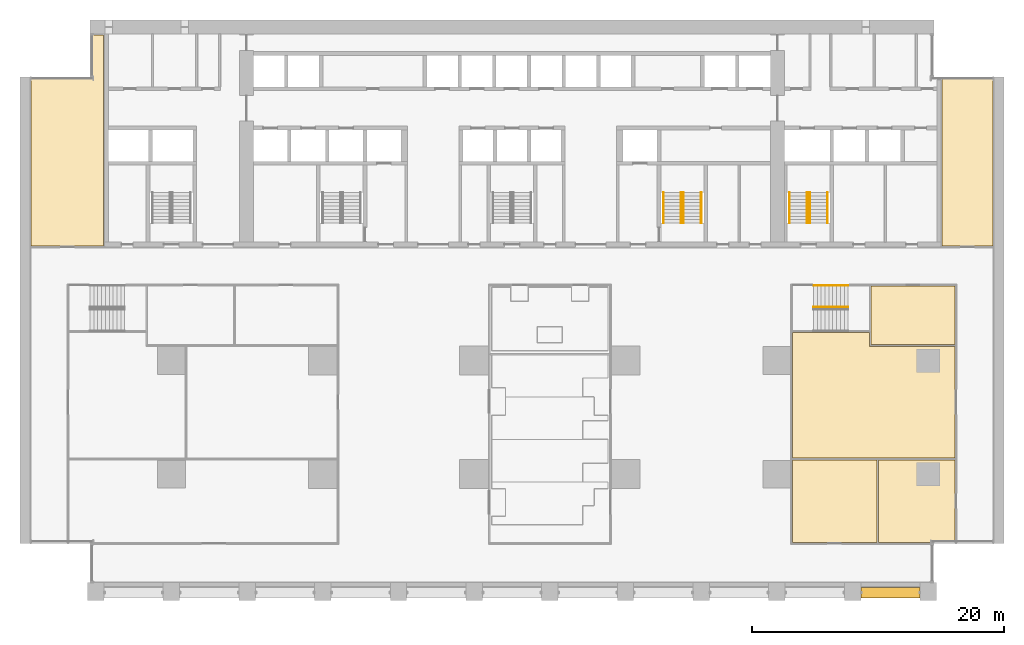
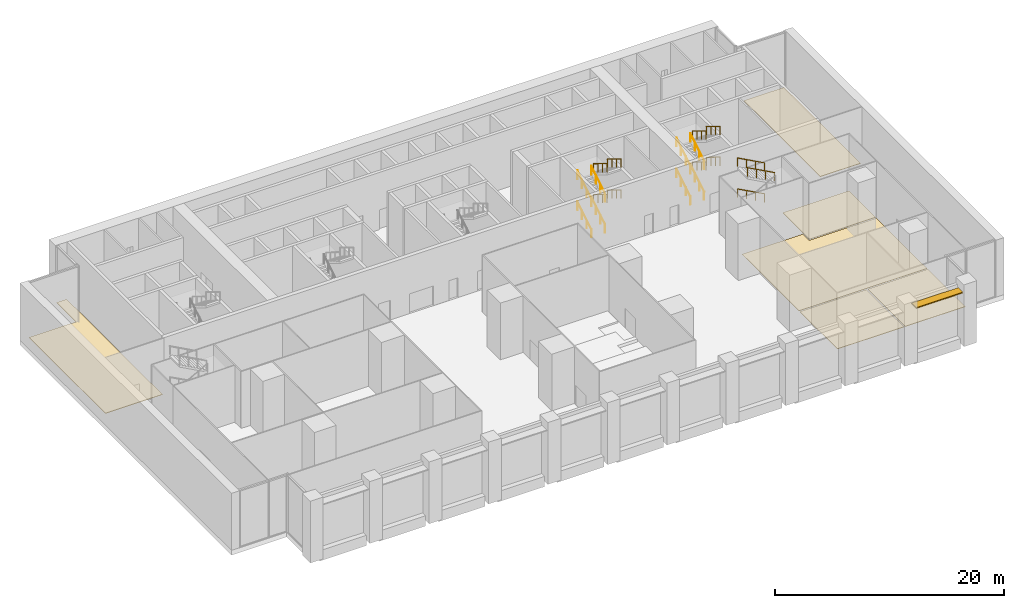
# One storey, part 18 of 18: 19 railings, 6 coverings, 1 shading device, 3 elements without a shape of their own.
"""IFC4 building model written with IfcOpenShell, lengths in metres."""

from ifc_helpers import new_model, si_unit, direction, frame, origin, origin_2d, place, context, subcontext, project, spatial, polyline, rectangle, circle, outline, extrude, material, layer, layer_set, material_profile, profile_set, type_object, element, aggregate, save


model = new_model("IFC4")

# Units and contexts
model_context = context("Model", 3, precision=1e-05, world=origin(), true_north=direction((0.0, 1.0)))
body_context = subcontext(model_context, "Body", "Model", "MODEL_VIEW")
ifc_project = project(units=[si_unit("LENGTHUNIT", "METRE"), si_unit("AREAUNIT", "SQUARE_METRE"), si_unit("VOLUMEUNIT", "CUBIC_METRE"), si_unit("PLANEANGLEUNIT", "RADIAN"), si_unit("MASSUNIT", "GRAM", prefix="KILO")], contexts=[model_context])

# Site, building, storey
site_placement = place(None, origin())
site = spatial("IfcSite", under=ifc_project, at=site_placement, CompositionType="ELEMENT")
building_placement = place(site_placement, origin())
building = spatial("IfcBuilding", under=site, at=building_placement, Name="Calvaro Tower", CompositionType="ELEMENT")
storey_placement = place(building_placement, frame((0.0, 0.0, 11.300048828125)))
storey = spatial("IfcBuildingStorey", under=building, at=storey_placement, Name="L02", CompositionType="ELEMENT", Elevation=11.300048828125)

# Shading device
ifc_material_1 = material(Name="Anodised aluminium", Category="aluminium")
ifc_material_profile = material_profile(ifc_material_1, rectangle(XDim=0.800048828125, YDim=0.10009765625, at=origin_2d()), Name="Brise-soleil blade 800 x 100")
ifc_profile_set = profile_set([ifc_material_profile], Name="Anodised aluminium")
shading_device_type = type_object("IfcShadingDeviceType", Name="Brise-soleil blade 800 x 100", PredefinedType="JALOUSIE", material=ifc_profile_set)
shading_device_placement = place(storey_placement, frame((66.64990234375, 0.60009765625, 5.14990234375), z_axis=(1.0, 0.0, 0.0), x_axis=(0.0, 1.0, 0.0)))
element("IfcShadingDevice", 1, at=shading_device_placement, inside=storey, type_object=shading_device_type, Name="Brise-soleil blade 11", PredefinedType="JALOUSIE", context=body_context, shape_type="SweptSolid", body=[
    extrude(rectangle(XDim=0.800048828125, YDim=0.10009765625, at=origin_2d()), origin(), (0.0, 0.0, 1.0), 4.7001953125),
])

# Coverings
ifc_material_2 = material(Name="Cement screed with carpet tile finish")
ifc_layer = layer(ifc_material_2, 0.050048828125)
ifc_layer_set = layer_set([ifc_layer], Name="Cement screed with carpet tile finish")
covering_type = type_object("IfcCoveringType", Name="Floor finish 50", PredefinedType="FLOORING", material=ifc_layer_set)
covering_1_placement = place(storey_placement, origin())
element("IfcCovering", 2, at=covering_1_placement, inside=storey, type_object=covering_type, Name="Floor finish 05.03", PredefinedType="FLOORING", context=body_context, shape_type="SweptSolid", body=[
    extrude(outline(polyline([(61.219970703125, 11.1298828125), (67.929931640625, 11.1298828125), (67.929931640625, 4.570068359375), (61.219970703125, 4.570068359375), (61.219970703125, 11.1298828125)])), origin(), (0.0, 0.0, 1.0), 0.050048828125),
])
covering_2_placement = place(storey_placement, origin())
element("IfcCovering", 3, at=covering_2_placement, inside=storey, type_object=covering_type, Name="Floor finish 05.04", PredefinedType="FLOORING", context=body_context, shape_type="SweptSolid", body=[
    extrude(outline(polyline([(68.070068359375, 11.1298828125), (74.1298828125, 11.1298828125), (74.1298828125, 4.570068359375), (68.070068359375, 4.570068359375), (68.070068359375, 11.1298828125)])), origin(), (0.0, 0.0, 1.0), 0.050048828125),
])
covering_3_placement = place(storey_placement, origin())
element("IfcCovering", 4, at=covering_3_placement, inside=storey, type_object=covering_type, Name="Floor finish 05.07", PredefinedType="FLOORING", context=body_context, shape_type="SweptSolid", body=[
    extrude(outline(polyline([(67.330078125, 21.22998046875), (67.330078125, 20.1298828125), (74.1298828125, 20.1298828125), (74.1298828125, 11.27001953125), (61.219970703125, 11.27001953125), (61.219970703125, 21.22998046875), (67.330078125, 21.22998046875)])), origin(), (0.0, 0.0, 1.0), 0.050048828125),
])
covering_4_placement = place(storey_placement, origin())
element("IfcCovering", 5, at=covering_4_placement, inside=storey, type_object=covering_type, Name="Floor finish 05.12", PredefinedType="FLOORING", context=body_context, shape_type="SweptSolid", body=[
    extrude(outline(polyline([(67.469970703125, 24.929931640625), (74.1298828125, 24.929931640625), (74.1298828125, 20.27001953125), (67.469970703125, 20.27001953125), (67.469970703125, 24.929931640625)])), origin(), (0.0, 0.0, 1.0), 0.050048828125),
])
covering_5_placement = place(storey_placement, origin())
element("IfcCovering", 6, at=covering_5_placement, inside=storey, type_object=covering_type, Name="Floor finish 05.16", PredefinedType="FLOORING", context=body_context, shape_type="SweptSolid", body=[
    extrude(outline(polyline([(0.8701171875, 28.070068359375), (0.8701171875, 41.429931640625), (5.6201171875, 41.429931640625), (5.6201171875, 44.830078125), (6.6298828125, 44.830078125), (6.6298828125, 28.070068359375), (0.8701171875, 28.070068359375)])), origin(), (0.0, 0.0, 1.0), 0.050048828125),
])
covering_6_placement = place(storey_placement, origin())
element("IfcCovering", 7, at=covering_6_placement, inside=storey, type_object=covering_type, Name="Floor finish 05.15", PredefinedType="FLOORING", context=body_context, shape_type="SweptSolid", body=[
    extrude(outline(polyline([(73.070068359375, 28.070068359375), (73.070068359375, 41.429931640625), (77.1298828125, 41.429931640625), (77.1298828125, 28.070068359375), (73.070068359375, 28.070068359375)])), origin(), (0.0, 0.0, 1.0), 0.050048828125),
])

# Stair, railings
ifc_material_3 = material(Name="Concrete C40/50", Category="concrete")
stair_type_1 = type_object("IfcStairType", Name="Exit stair 1400 4 flights", PredefinedType="DOUBLE_RETURN_STAIR", material=ifc_material_3)
stair_1_placement = place(storey_placement, origin())
stair_1 = element("IfcStair", 8, at=stair_1_placement, inside=storey, type_object=stair_type_1, Name="Exit stair S4", PredefinedType="DOUBLE_RETURN_STAIR")
ifc_material_4 = material(Name="Stainless steel", Category="steel")
railing_type = type_object("IfcRailingType", Name="Stair handrail", PredefinedType="HANDRAIL", material=ifc_material_4)
railing_1_placement = place(storey_placement, frame((52.39990234375, 29.89990234375, 0.1650390625)))
railing_1 = element("IfcRailing", 9, at=railing_1_placement, type_object=railing_type, Name="Exit stair 4 handrail", PredefinedType="HANDRAIL", context=body_context, shape_type="SweptSolid", body=[
    extrude(circle(Radius=0.02392578125, at=origin_2d()), frame((0.0, 0.0, 0.8759765625), z_axis=(0.0, 0.853319974774, 0.521387591579), x_axis=(-1.0, 0.0, 0.0)), (0.0, 0.0, 1.0), 2.847900390625),
    extrude(circle(Radius=0.02099609375, at=origin_2d()), frame((0.0, 0.017822265625, 0.010986328125)), (0.0, 0.0, 1.0), 0.851806640625),
    extrude(circle(Radius=0.02099609375, at=origin_2d()), frame((0.0, 0.81005859375, 0.494873046875)), (0.0, 0.0, 1.0), 0.851806640625),
    extrude(circle(Radius=0.02099609375, at=origin_2d()), frame((0.0, 1.6201171875, 0.989990234375)), (0.0, 0.0, 1.0), 0.851806640625),
    extrude(circle(Radius=0.02099609375, at=origin_2d()), frame((0.0, 2.412353515625, 1.473876953125)), (0.0, 0.0, 1.0), 0.851806640625),
])
railing_2_placement = place(storey_placement, frame((51.0, 29.89990234375, 0.1650390625)))
railing_2 = element("IfcRailing", 10, at=railing_2_placement, type_object=railing_type, Name="Exit stair 4 handrail", PredefinedType="HANDRAIL", context=body_context, shape_type="SweptSolid", body=[
    extrude(circle(Radius=0.02392578125, at=origin_2d()), frame((0.0, 0.0, 0.8759765625), z_axis=(0.0, 0.853319974774, 0.521387591579), x_axis=(-1.0, 0.0, 0.0)), (0.0, 0.0, 1.0), 2.847900390625),
    extrude(circle(Radius=0.02099609375, at=origin_2d()), frame((0.0, 0.017822265625, 0.010986328125)), (0.0, 0.0, 1.0), 0.851806640625),
    extrude(circle(Radius=0.02099609375, at=origin_2d()), frame((0.0, 0.81005859375, 0.494873046875)), (0.0, 0.0, 1.0), 0.851806640625),
    extrude(circle(Radius=0.02099609375, at=origin_2d()), frame((0.0, 1.6201171875, 0.989990234375)), (0.0, 0.0, 1.0), 0.851806640625),
    extrude(circle(Radius=0.02099609375, at=origin_2d()), frame((0.0, 2.412353515625, 1.473876953125)), (0.0, 0.0, 1.0), 0.851806640625),
])
railing_3_placement = place(storey_placement, frame((52.60009765625, 32.330078125, 1.81494140625)))
railing_3 = element("IfcRailing", 11, at=railing_3_placement, type_object=railing_type, Name="Exit stair 4 handrail", PredefinedType="HANDRAIL", context=body_context, shape_type="SweptSolid", body=[
    extrude(circle(Radius=0.02392578125, at=origin_2d()), frame((0.0, 0.0, 0.8759765625), z_axis=(0.0, -0.853281833652, 0.521450009454), x_axis=(1.0, 0.0, 0.0)), (0.0, 0.0, 1.0), 2.84814453125),
    extrude(circle(Radius=0.02099609375, at=origin_2d()), frame((0.0, -0.017822265625, 0.010986328125)), (0.0, 0.0, 1.0), 0.851806640625),
    extrude(circle(Radius=0.02099609375, at=origin_2d()), frame((0.0, -0.81005859375, 0.4951171875)), (0.0, 0.0, 1.0), 0.851806640625),
    extrude(circle(Radius=0.02099609375, at=origin_2d()), frame((0.0, -1.6201171875, 0.989990234375)), (0.0, 0.0, 1.0), 0.851806640625),
    extrude(circle(Radius=0.02099609375, at=origin_2d()), frame((0.0, -2.412353515625, 1.47412109375)), (0.0, 0.0, 1.0), 0.851806640625),
])
railing_4_placement = place(storey_placement, frame((54.0, 32.330078125, 1.81494140625)))
railing_4 = element("IfcRailing", 12, at=railing_4_placement, type_object=railing_type, Name="Exit stair 4 handrail", PredefinedType="HANDRAIL", context=body_context, shape_type="SweptSolid", body=[
    extrude(circle(Radius=0.02392578125, at=origin_2d()), frame((0.0, 0.0, 0.8759765625), z_axis=(0.0, -0.853281833652, 0.521450009454), x_axis=(1.0, 0.0, 0.0)), (0.0, 0.0, 1.0), 2.84814453125),
    extrude(circle(Radius=0.02099609375, at=origin_2d()), frame((0.0, -0.017822265625, 0.010986328125)), (0.0, 0.0, 1.0), 0.851806640625),
    extrude(circle(Radius=0.02099609375, at=origin_2d()), frame((0.0, -0.81005859375, 0.4951171875)), (0.0, 0.0, 1.0), 0.851806640625),
    extrude(circle(Radius=0.02099609375, at=origin_2d()), frame((0.0, -1.6201171875, 0.989990234375)), (0.0, 0.0, 1.0), 0.851806640625),
    extrude(circle(Radius=0.02099609375, at=origin_2d()), frame((0.0, -2.412353515625, 1.47412109375)), (0.0, 0.0, 1.0), 0.851806640625),
])
railing_5_placement = place(storey_placement, frame((52.39990234375, 29.89990234375, 3.46484375)))
railing_5 = element("IfcRailing", 13, at=railing_5_placement, type_object=railing_type, Name="Exit stair 4 handrail", PredefinedType="HANDRAIL", context=body_context, shape_type="SweptSolid", body=[
    extrude(circle(Radius=0.02392578125, at=origin_2d()), frame((0.0, 0.0, 0.8759765625), z_axis=(0.0, 0.853281833652, 0.521450009454), x_axis=(-1.0, 0.0, 0.0)), (0.0, 0.0, 1.0), 2.84814453125),
    extrude(circle(Radius=0.02099609375, at=origin_2d()), frame((0.0, 0.017822265625, 0.010986328125)), (0.0, 0.0, 1.0), 0.851806640625),
    extrude(circle(Radius=0.02099609375, at=origin_2d()), frame((0.0, 0.81005859375, 0.4951171875)), (0.0, 0.0, 1.0), 0.851806640625),
    extrude(circle(Radius=0.02099609375, at=origin_2d()), frame((0.0, 1.6201171875, 0.989990234375)), (0.0, 0.0, 1.0), 0.851806640625),
    extrude(circle(Radius=0.02099609375, at=origin_2d()), frame((0.0, 2.412353515625, 1.47412109375)), (0.0, 0.0, 1.0), 0.851806640625),
])
railing_6_placement = place(storey_placement, frame((51.0, 29.89990234375, 3.46484375)))
railing_6 = element("IfcRailing", 14, at=railing_6_placement, type_object=railing_type, Name="Exit stair 4 handrail", PredefinedType="HANDRAIL", context=body_context, shape_type="SweptSolid", body=[
    extrude(circle(Radius=0.02392578125, at=origin_2d()), frame((0.0, 0.0, 0.8759765625), z_axis=(0.0, 0.853281833652, 0.521450009454), x_axis=(-1.0, 0.0, 0.0)), (0.0, 0.0, 1.0), 2.84814453125),
    extrude(circle(Radius=0.02099609375, at=origin_2d()), frame((0.0, 0.017822265625, 0.010986328125)), (0.0, 0.0, 1.0), 0.851806640625),
    extrude(circle(Radius=0.02099609375, at=origin_2d()), frame((0.0, 0.81005859375, 0.4951171875)), (0.0, 0.0, 1.0), 0.851806640625),
    extrude(circle(Radius=0.02099609375, at=origin_2d()), frame((0.0, 1.6201171875, 0.989990234375)), (0.0, 0.0, 1.0), 0.851806640625),
    extrude(circle(Radius=0.02099609375, at=origin_2d()), frame((0.0, 2.412353515625, 1.47412109375)), (0.0, 0.0, 1.0), 0.851806640625),
])
railing_7_placement = place(storey_placement, frame((52.60009765625, 32.330078125, 5.114990234375)))
railing_7 = element("IfcRailing", 15, at=railing_7_placement, type_object=railing_type, Name="Exit stair 4 handrail", PredefinedType="HANDRAIL", context=body_context, shape_type="SweptSolid", body=[
    extrude(circle(Radius=0.02392578125, at=origin_2d()), frame((0.0, 0.0, 0.8759765625), z_axis=(0.0, -0.853319974774, 0.521387591579), x_axis=(1.0, 0.0, 0.0)), (0.0, 0.0, 1.0), 2.847900390625),
    extrude(circle(Radius=0.02099609375, at=origin_2d()), frame((0.0, -0.017822265625, 0.010986328125)), (0.0, 0.0, 1.0), 0.851806640625),
    extrude(circle(Radius=0.02099609375, at=origin_2d()), frame((0.0, -0.81005859375, 0.494873046875)), (0.0, 0.0, 1.0), 0.851806640625),
    extrude(circle(Radius=0.02099609375, at=origin_2d()), frame((0.0, -1.6201171875, 0.989990234375)), (0.0, 0.0, 1.0), 0.851806640625),
    extrude(circle(Radius=0.02099609375, at=origin_2d()), frame((0.0, -2.412353515625, 1.473876953125)), (0.0, 0.0, 1.0), 0.851806640625),
])
railing_8_placement = place(storey_placement, frame((54.0, 32.330078125, 5.114990234375)))
railing_8 = element("IfcRailing", 16, at=railing_8_placement, type_object=railing_type, Name="Exit stair 4 handrail", PredefinedType="HANDRAIL", context=body_context, shape_type="SweptSolid", body=[
    extrude(circle(Radius=0.02392578125, at=origin_2d()), frame((0.0, 0.0, 0.8759765625), z_axis=(0.0, -0.853319974774, 0.521387591579), x_axis=(1.0, 0.0, 0.0)), (0.0, 0.0, 1.0), 2.847900390625),
    extrude(circle(Radius=0.02099609375, at=origin_2d()), frame((0.0, -0.017822265625, 0.010986328125)), (0.0, 0.0, 1.0), 0.851806640625),
    extrude(circle(Radius=0.02099609375, at=origin_2d()), frame((0.0, -0.81005859375, 0.494873046875)), (0.0, 0.0, 1.0), 0.851806640625),
    extrude(circle(Radius=0.02099609375, at=origin_2d()), frame((0.0, -1.6201171875, 0.989990234375)), (0.0, 0.0, 1.0), 0.851806640625),
    extrude(circle(Radius=0.02099609375, at=origin_2d()), frame((0.0, -2.412353515625, 1.473876953125)), (0.0, 0.0, 1.0), 0.851806640625),
])
aggregate(stair_1, [railing_1, railing_2, railing_3, railing_4, railing_5, railing_6, railing_7, railing_8])

stair_2_placement = place(storey_placement, origin())
stair_2 = element("IfcStair", 17, at=stair_2_placement, inside=storey, type_object=stair_type_1, Name="Exit stair S5", PredefinedType="DOUBLE_RETURN_STAIR")
railing_9_placement = place(storey_placement, frame((62.39990234375, 29.89990234375, 0.1650390625)))
railing_9 = element("IfcRailing", 18, at=railing_9_placement, type_object=railing_type, Name="Exit stair 5 handrail", PredefinedType="HANDRAIL", context=body_context, shape_type="SweptSolid", body=[
    extrude(circle(Radius=0.02392578125, at=origin_2d()), frame((0.0, 0.0, 0.8759765625), z_axis=(0.0, 0.853319974774, 0.521387591579), x_axis=(-1.0, 0.0, 0.0)), (0.0, 0.0, 1.0), 2.847900390625),
    extrude(circle(Radius=0.02099609375, at=origin_2d()), frame((0.0, 0.017822265625, 0.010986328125)), (0.0, 0.0, 1.0), 0.851806640625),
    extrude(circle(Radius=0.02099609375, at=origin_2d()), frame((0.0, 0.81005859375, 0.494873046875)), (0.0, 0.0, 1.0), 0.851806640625),
    extrude(circle(Radius=0.02099609375, at=origin_2d()), frame((0.0, 1.6201171875, 0.989990234375)), (0.0, 0.0, 1.0), 0.851806640625),
    extrude(circle(Radius=0.02099609375, at=origin_2d()), frame((0.0, 2.412353515625, 1.473876953125)), (0.0, 0.0, 1.0), 0.851806640625),
])
railing_10_placement = place(storey_placement, frame((61.0, 29.89990234375, 0.1650390625)))
railing_10 = element("IfcRailing", 19, at=railing_10_placement, type_object=railing_type, Name="Exit stair 5 handrail", PredefinedType="HANDRAIL", context=body_context, shape_type="SweptSolid", body=[
    extrude(circle(Radius=0.02392578125, at=origin_2d()), frame((0.0, 0.0, 0.8759765625), z_axis=(0.0, 0.853319974774, 0.521387591579), x_axis=(-1.0, 0.0, 0.0)), (0.0, 0.0, 1.0), 2.847900390625),
    extrude(circle(Radius=0.02099609375, at=origin_2d()), frame((0.0, 0.017822265625, 0.010986328125)), (0.0, 0.0, 1.0), 0.851806640625),
    extrude(circle(Radius=0.02099609375, at=origin_2d()), frame((0.0, 0.81005859375, 0.494873046875)), (0.0, 0.0, 1.0), 0.851806640625),
    extrude(circle(Radius=0.02099609375, at=origin_2d()), frame((0.0, 1.6201171875, 0.989990234375)), (0.0, 0.0, 1.0), 0.851806640625),
    extrude(circle(Radius=0.02099609375, at=origin_2d()), frame((0.0, 2.412353515625, 1.473876953125)), (0.0, 0.0, 1.0), 0.851806640625),
])
railing_11_placement = place(storey_placement, frame((62.60009765625, 32.330078125, 1.81494140625)))
railing_11 = element("IfcRailing", 20, at=railing_11_placement, type_object=railing_type, Name="Exit stair 5 handrail", PredefinedType="HANDRAIL", context=body_context, shape_type="SweptSolid", body=[
    extrude(circle(Radius=0.02392578125, at=origin_2d()), frame((0.0, 0.0, 0.8759765625), z_axis=(0.0, -0.853281833652, 0.521450009454), x_axis=(1.0, 0.0, 0.0)), (0.0, 0.0, 1.0), 2.84814453125),
    extrude(circle(Radius=0.02099609375, at=origin_2d()), frame((0.0, -0.017822265625, 0.010986328125)), (0.0, 0.0, 1.0), 0.851806640625),
    extrude(circle(Radius=0.02099609375, at=origin_2d()), frame((0.0, -0.81005859375, 0.4951171875)), (0.0, 0.0, 1.0), 0.851806640625),
    extrude(circle(Radius=0.02099609375, at=origin_2d()), frame((0.0, -1.6201171875, 0.989990234375)), (0.0, 0.0, 1.0), 0.851806640625),
    extrude(circle(Radius=0.02099609375, at=origin_2d()), frame((0.0, -2.412353515625, 1.47412109375)), (0.0, 0.0, 1.0), 0.851806640625),
])
railing_12_placement = place(storey_placement, frame((64.0, 32.330078125, 1.81494140625)))
railing_12 = element("IfcRailing", 21, at=railing_12_placement, type_object=railing_type, Name="Exit stair 5 handrail", PredefinedType="HANDRAIL", context=body_context, shape_type="SweptSolid", body=[
    extrude(circle(Radius=0.02392578125, at=origin_2d()), frame((0.0, 0.0, 0.8759765625), z_axis=(0.0, -0.853281833652, 0.521450009454), x_axis=(1.0, 0.0, 0.0)), (0.0, 0.0, 1.0), 2.84814453125),
    extrude(circle(Radius=0.02099609375, at=origin_2d()), frame((0.0, -0.017822265625, 0.010986328125)), (0.0, 0.0, 1.0), 0.851806640625),
    extrude(circle(Radius=0.02099609375, at=origin_2d()), frame((0.0, -0.81005859375, 0.4951171875)), (0.0, 0.0, 1.0), 0.851806640625),
    extrude(circle(Radius=0.02099609375, at=origin_2d()), frame((0.0, -1.6201171875, 0.989990234375)), (0.0, 0.0, 1.0), 0.851806640625),
    extrude(circle(Radius=0.02099609375, at=origin_2d()), frame((0.0, -2.412353515625, 1.47412109375)), (0.0, 0.0, 1.0), 0.851806640625),
])
railing_13_placement = place(storey_placement, frame((62.39990234375, 29.89990234375, 3.46484375)))
railing_13 = element("IfcRailing", 22, at=railing_13_placement, type_object=railing_type, Name="Exit stair 5 handrail", PredefinedType="HANDRAIL", context=body_context, shape_type="SweptSolid", body=[
    extrude(circle(Radius=0.02392578125, at=origin_2d()), frame((0.0, 0.0, 0.8759765625), z_axis=(0.0, 0.853281833652, 0.521450009454), x_axis=(-1.0, 0.0, 0.0)), (0.0, 0.0, 1.0), 2.84814453125),
    extrude(circle(Radius=0.02099609375, at=origin_2d()), frame((0.0, 0.017822265625, 0.010986328125)), (0.0, 0.0, 1.0), 0.851806640625),
    extrude(circle(Radius=0.02099609375, at=origin_2d()), frame((0.0, 0.81005859375, 0.4951171875)), (0.0, 0.0, 1.0), 0.851806640625),
    extrude(circle(Radius=0.02099609375, at=origin_2d()), frame((0.0, 1.6201171875, 0.989990234375)), (0.0, 0.0, 1.0), 0.851806640625),
    extrude(circle(Radius=0.02099609375, at=origin_2d()), frame((0.0, 2.412353515625, 1.47412109375)), (0.0, 0.0, 1.0), 0.851806640625),
])
railing_14_placement = place(storey_placement, frame((61.0, 29.89990234375, 3.46484375)))
railing_14 = element("IfcRailing", 23, at=railing_14_placement, type_object=railing_type, Name="Exit stair 5 handrail", PredefinedType="HANDRAIL", context=body_context, shape_type="SweptSolid", body=[
    extrude(circle(Radius=0.02392578125, at=origin_2d()), frame((0.0, 0.0, 0.8759765625), z_axis=(0.0, 0.853281833652, 0.521450009454), x_axis=(-1.0, 0.0, 0.0)), (0.0, 0.0, 1.0), 2.84814453125),
    extrude(circle(Radius=0.02099609375, at=origin_2d()), frame((0.0, 0.017822265625, 0.010986328125)), (0.0, 0.0, 1.0), 0.851806640625),
    extrude(circle(Radius=0.02099609375, at=origin_2d()), frame((0.0, 0.81005859375, 0.4951171875)), (0.0, 0.0, 1.0), 0.851806640625),
    extrude(circle(Radius=0.02099609375, at=origin_2d()), frame((0.0, 1.6201171875, 0.989990234375)), (0.0, 0.0, 1.0), 0.851806640625),
    extrude(circle(Radius=0.02099609375, at=origin_2d()), frame((0.0, 2.412353515625, 1.47412109375)), (0.0, 0.0, 1.0), 0.851806640625),
])
railing_15_placement = place(storey_placement, frame((62.60009765625, 32.330078125, 5.114990234375)))
railing_15 = element("IfcRailing", 24, at=railing_15_placement, type_object=railing_type, Name="Exit stair 5 handrail", PredefinedType="HANDRAIL", context=body_context, shape_type="SweptSolid", body=[
    extrude(circle(Radius=0.02392578125, at=origin_2d()), frame((0.0, 0.0, 0.8759765625), z_axis=(0.0, -0.853319974774, 0.521387591579), x_axis=(1.0, 0.0, 0.0)), (0.0, 0.0, 1.0), 2.847900390625),
    extrude(circle(Radius=0.02099609375, at=origin_2d()), frame((0.0, -0.017822265625, 0.010986328125)), (0.0, 0.0, 1.0), 0.851806640625),
    extrude(circle(Radius=0.02099609375, at=origin_2d()), frame((0.0, -0.81005859375, 0.494873046875)), (0.0, 0.0, 1.0), 0.851806640625),
    extrude(circle(Radius=0.02099609375, at=origin_2d()), frame((0.0, -1.6201171875, 0.989990234375)), (0.0, 0.0, 1.0), 0.851806640625),
    extrude(circle(Radius=0.02099609375, at=origin_2d()), frame((0.0, -2.412353515625, 1.473876953125)), (0.0, 0.0, 1.0), 0.851806640625),
])
railing_16_placement = place(storey_placement, frame((64.0, 32.330078125, 5.114990234375)))
railing_16 = element("IfcRailing", 25, at=railing_16_placement, type_object=railing_type, Name="Exit stair 5 handrail", PredefinedType="HANDRAIL", context=body_context, shape_type="SweptSolid", body=[
    extrude(circle(Radius=0.02392578125, at=origin_2d()), frame((0.0, 0.0, 0.8759765625), z_axis=(0.0, -0.853319974774, 0.521387591579), x_axis=(1.0, 0.0, 0.0)), (0.0, 0.0, 1.0), 2.847900390625),
    extrude(circle(Radius=0.02099609375, at=origin_2d()), frame((0.0, -0.017822265625, 0.010986328125)), (0.0, 0.0, 1.0), 0.851806640625),
    extrude(circle(Radius=0.02099609375, at=origin_2d()), frame((0.0, -0.81005859375, 0.494873046875)), (0.0, 0.0, 1.0), 0.851806640625),
    extrude(circle(Radius=0.02099609375, at=origin_2d()), frame((0.0, -1.6201171875, 0.989990234375)), (0.0, 0.0, 1.0), 0.851806640625),
    extrude(circle(Radius=0.02099609375, at=origin_2d()), frame((0.0, -2.412353515625, 1.473876953125)), (0.0, 0.0, 1.0), 0.851806640625),
])
aggregate(stair_2, [railing_9, railing_10, railing_11, railing_12, railing_13, railing_14, railing_15, railing_16])

ifc_material_5 = material(Name="Concrete C40/50", Category="concrete")
stair_type_2 = type_object("IfcStairType", Name="Exit stair 1700 4 flights", PredefinedType="DOUBLE_RETURN_STAIR", material=ifc_material_5)
stair_3_placement = place(storey_placement, origin())
stair_3 = element("IfcStair", 26, at=stair_3_placement, inside=storey, type_object=stair_type_2, Name="Exit stair 7", PredefinedType="DOUBLE_RETURN_STAIR")
railing_17_placement = place(storey_placement, frame((65.64501953125, 24.949951171875, 1.81494140625)))
railing_17 = element("IfcRailing", 27, at=railing_17_placement, type_object=railing_type, Name="Exit stair 7 handrail", PredefinedType="HANDRAIL", context=body_context, shape_type="SweptSolid", body=[
    extrude(circle(Radius=0.02392578125, at=origin_2d()), frame((0.0, 0.0, 0.8759765625), z_axis=(-0.87953754274, 0.0, 0.475829497731), x_axis=(0.0, -1.0, 0.0)), (0.0, 0.0, 1.0), 3.12109375),
    extrude(circle(Radius=0.02099609375, at=origin_2d()), frame((-0.0185546875, 0.0, 0.010009765625)), (0.0, 0.0, 1.0), 0.851806640625),
    extrude(circle(Radius=0.02099609375, at=origin_2d()), frame((-0.9150390625, 0.0, 0.4951171875)), (0.0, 0.0, 1.0), 0.851806640625),
    extrude(circle(Radius=0.02099609375, at=origin_2d()), frame((-1.830078125, 0.0, 0.989990234375)), (0.0, 0.0, 1.0), 0.851806640625),
    extrude(circle(Radius=0.02099609375, at=origin_2d()), frame((-2.7265625, 0.0, 1.47509765625)), (0.0, 0.0, 1.0), 0.851806640625),
])
railing_18_placement = place(storey_placement, frame((65.64501953125, 23.25, 5.114990234375)))
railing_18 = element("IfcRailing", 28, at=railing_18_placement, type_object=railing_type, Name="Exit stair 7 handrail", PredefinedType="HANDRAIL", context=body_context, shape_type="SweptSolid", body=[
    extrude(circle(Radius=0.02392578125, at=origin_2d()), frame((0.0, 0.0, 0.8759765625), z_axis=(-0.879570278908, 0.0, 0.475768982241), x_axis=(0.0, -1.0, 0.0)), (0.0, 0.0, 1.0), 3.12109375),
    extrude(circle(Radius=0.02099609375, at=origin_2d()), frame((-0.0185546875, 0.0, 0.010009765625)), (0.0, 0.0, 1.0), 0.851806640625),
    extrude(circle(Radius=0.02099609375, at=origin_2d()), frame((-0.9150390625, 0.0, 0.494873046875)), (0.0, 0.0, 1.0), 0.851806640625),
    extrude(circle(Radius=0.02099609375, at=origin_2d()), frame((-1.830078125, 0.0, 0.989990234375)), (0.0, 0.0, 1.0), 0.851806640625),
    extrude(circle(Radius=0.02099609375, at=origin_2d()), frame((-2.7265625, 0.0, 1.474853515625)), (0.0, 0.0, 1.0), 0.851806640625),
])
railing_19_placement = place(storey_placement, frame((65.64501953125, 24.949951171875, 5.114990234375)))
railing_19 = element("IfcRailing", 29, at=railing_19_placement, type_object=railing_type, Name="Exit stair 7 handrail", PredefinedType="HANDRAIL", context=body_context, shape_type="SweptSolid", body=[
    extrude(circle(Radius=0.02392578125, at=origin_2d()), frame((0.0, 0.0, 0.8759765625), z_axis=(-0.879570278908, 0.0, 0.475768982241), x_axis=(0.0, -1.0, 0.0)), (0.0, 0.0, 1.0), 3.12109375),
    extrude(circle(Radius=0.02099609375, at=origin_2d()), frame((-0.0185546875, 0.0, 0.010009765625)), (0.0, 0.0, 1.0), 0.851806640625),
    extrude(circle(Radius=0.02099609375, at=origin_2d()), frame((-0.9150390625, 0.0, 0.494873046875)), (0.0, 0.0, 1.0), 0.851806640625),
    extrude(circle(Radius=0.02099609375, at=origin_2d()), frame((-1.830078125, 0.0, 0.989990234375)), (0.0, 0.0, 1.0), 0.851806640625),
    extrude(circle(Radius=0.02099609375, at=origin_2d()), frame((-2.7265625, 0.0, 1.474853515625)), (0.0, 0.0, 1.0), 0.851806640625),
])
aggregate(stair_3, [railing_17, railing_18, railing_19])

save(model, "model.ifc")
